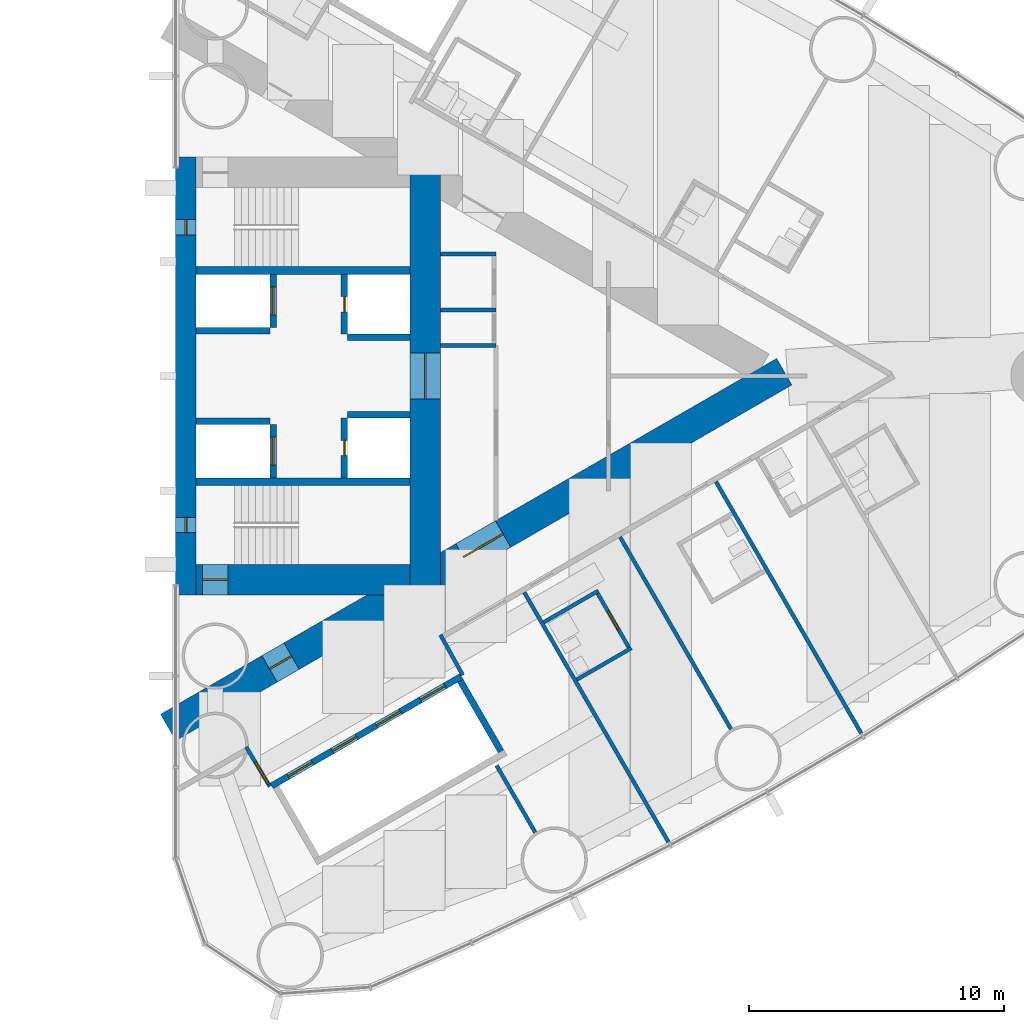
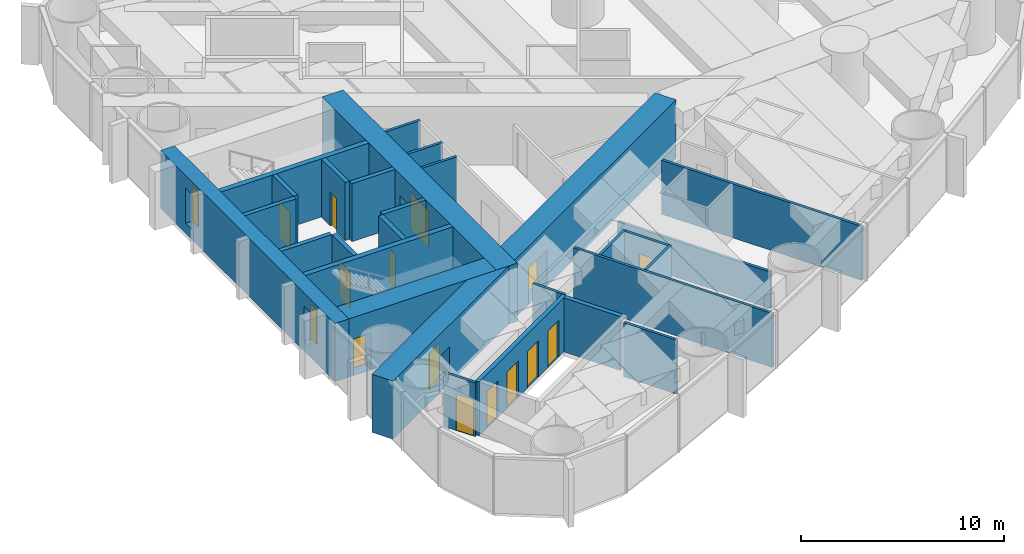
# One storey, part 14 of 19: 28 walls, 14 doors, 2 windows, 16 openings.
"""IFC4 building model written with IfcOpenShell, lengths in metres."""

from ifc_helpers import new_model, si_unit, direction, frame, frame_2d, origin, place, context, subcontext, project, spatial, rectangle, extrude, material, layer, layer_set, type_object, element, fill, save


model = new_model("IFC4")

# Units and contexts
model_context = context("Model", 3, precision=1e-05, world=origin(), true_north=direction((0.0, 1.0)))
body_context = subcontext(model_context, "Body", "Model", "MODEL_VIEW")
ifc_project = project(units=[si_unit("LENGTHUNIT", "METRE"), si_unit("AREAUNIT", "SQUARE_METRE"), si_unit("VOLUMEUNIT", "CUBIC_METRE"), si_unit("PLANEANGLEUNIT", "RADIAN"), si_unit("MASSUNIT", "GRAM", prefix="KILO")], contexts=[model_context])

# Site, building, storey
site_placement = place(None, origin())
site = spatial("IfcSite", under=ifc_project, at=site_placement, CompositionType="ELEMENT")
building_placement = place(site_placement, origin())
building = spatial("IfcBuilding", under=site, at=building_placement, Name="Lancet Gate Hotel", CompositionType="ELEMENT")
storey_placement = place(building_placement, frame((0.0, 0.0, 90.60009765625)))
storey = spatial("IfcBuildingStorey", under=building, at=storey_placement, Name="L23", CompositionType="ELEMENT", Elevation=90.60009765625)

# Wall
ifc_material_1 = material(Name="Moisture resistant board partition")
ifc_layer_1 = layer(ifc_material_1, 0.14990234375)
ifc_layer_set_1 = layer_set([ifc_layer_1], Name="Bathroom wall 150")
wall_type_1 = type_object("IfcWallType", Name="Bathroom wall 150", PredefinedType="PARTITIONING", material=ifc_layer_set_1)
wall_1_placement = place(storey_placement, frame((43.2548828125, -11.9208984375, 0.0), z_axis=(0.0, 0.0, 1.0), x_axis=(0.866006523861, 0.500032699561, 0.0)))
element("IfcWall", 1, at=wall_1_placement, inside=storey, type_object=wall_type_1, Name="T2 bathroom wall 150 L23", PredefinedType="PARTITIONING", context=body_context, shape_type="SweptSolid", body=[
    extrude(rectangle(XDim=2.474853515625, YDim=0.14990234375, at=frame_2d((1.2373046875, 0.0))), origin(), (0.0, 0.0, 1.0), 3.25),
])

# Wall, opening, door
wall_2_placement = place(storey_placement, frame((44.033203125, -8.46923828125, 0.0), z_axis=(0.0, 0.0, 1.0), x_axis=(0.500047596559, -0.865997922154, 0.0)))
wall_2 = element("IfcWall", 2, at=wall_2_placement, inside=storey, type_object=wall_type_1, Name="T2 bathroom wall 150 L23", PredefinedType="PARTITIONING", context=body_context, shape_type="SweptSolid", body=[
    extrude(rectangle(XDim=2.599853515625, YDim=0.14990234375, at=frame_2d((1.2998046875, 0.0))), origin(), (0.0, 0.0, 1.0), 3.25),
])
opening_1_placement = place(wall_2_placement, frame((0.89990234375, 0.0, 0.0)))
opening_1 = element("IfcOpeningElement", 3, at=opening_1_placement, cuts=wall_2, Name="Opening 2354-B", PredefinedType="OPENING", context=body_context, shape_type="SweptSolid", body=[
    extrude(rectangle(XDim=0.800048828125, YDim=2.199951171875, at=frame_2d((0.39990234375, 1.10009765625))), frame((0.0, 0.0849609375, 0.0), z_axis=(0.0, -1.0, 0.0), x_axis=(1.0, 0.0, 0.0)), (0.0, 0.0, 1.0), 0.169921875),
])
ifc_material_2 = material(Name="Timber door set", Category="wood")
door_type_1 = type_object("IfcDoorType", Name="Bathroom door 800", OperationType="SINGLE_SWING_RIGHT", PredefinedType="DOOR", material=ifc_material_2)
door_1_placement = place(opening_1_placement, origin())
door_1 = element("IfcDoor", 4, at=door_1_placement, inside=storey, type_object=door_type_1, Name="2354-B", OperationType="SINGLE_SWING_RIGHT", OverallHeight=2.199951171875, OverallWidth=0.800048828125, PredefinedType="DOOR", context=body_context, shape_type="SweptSolid", body=[
    extrude(rectangle(XDim=0.800048828125, YDim=2.199951171875, at=frame_2d((0.39990234375, 1.10009765625))), frame((0.0, 0.02490234375, 0.0), z_axis=(0.0, -1.0, 0.0), x_axis=(1.0, 0.0, 0.0)), (0.0, 0.0, 1.0), 0.050048828125),
])
fill(opening_1, door_1)

# Wall
wall_3_placement = place(storey_placement, frame((41.954833984375, -9.669189453125, 0.0), z_axis=(0.0, 0.0, 1.0), x_axis=(0.866006523861, 0.500032699561, 0.0)))
element("IfcWall", 5, at=wall_3_placement, inside=storey, type_object=wall_type_1, Name="T2 bathroom wall 150 L23", PredefinedType="PARTITIONING", context=body_context, shape_type="SweptSolid", body=[
    extrude(rectangle(XDim=2.474853515625, YDim=0.14990234375, at=frame_2d((1.2373046875, 0.0))), origin(), (0.0, 0.0, 1.0), 3.25),
])

# Wall, openings, doors
ifc_material_3 = material(Name="Concrete C70/85", Category="concrete")
ifc_layer_2 = layer(ifc_material_3, 1.199951171875)
ifc_layer_set_2 = layer_set([ifc_layer_2], Name="Buttress wall 1200")
wall_type_2 = type_object("IfcWallType", Name="Buttress wall 1200", PredefinedType="SHEAR", material=ifc_layer_set_2)
wall_4_placement = place(storey_placement, frame((27.199951171875, -13.800048828125, 0.0), z_axis=(0.0, 0.0, 1.0), x_axis=(0.866027159892, 0.499996958321, 0.0)))
wall_4 = element("IfcWall", 6, at=wall_4_placement, inside=storey, type_object=wall_type_2, Name="T2 buttress wall S L23", PredefinedType="SHEAR", context=body_context, shape_type="SweptSolid", body=[
    extrude(rectangle(XDim=27.946533203125, YDim=1.199951171875, at=frame_2d((13.97314453125, 0.0))), origin(), (0.0, 0.0, 1.0), 3.5),
])
opening_2_placement = place(wall_4_placement, frame((4.60009765625, 0.0, 0.0)))
opening_2 = element("IfcOpeningElement", 7, at=opening_2_placement, cuts=wall_4, Name="Opening T2-L23-LS", PredefinedType="OPENING", context=body_context, shape_type="SweptSolid", body=[
    extrude(rectangle(XDim=1.0, YDim=2.199951171875, at=frame_2d((0.5, 1.10009765625))), frame((0.0, 0.60986328125, 0.0), z_axis=(0.0, -1.0, 0.0), x_axis=(1.0, 0.0, 0.0)), (0.0, 0.0, 1.0), 1.219970703125),
])
opening_3_placement = place(wall_4_placement, frame((13.39453125, 0.0, 0.0)))
opening_3 = element("IfcOpeningElement", 8, at=opening_3_placement, cuts=wall_4, Name="Opening T2-L23-LHS", PredefinedType="OPENING", context=body_context, shape_type="SweptSolid", body=[
    extrude(rectangle(XDim=1.800048828125, YDim=2.199951171875, at=frame_2d((0.89990234375, 1.10009765625))), frame((0.0, 0.60986328125, 0.0), z_axis=(0.0, -1.0, 0.0), x_axis=(1.0, 0.0, 0.0)), (0.0, 0.0, 1.0), 1.219970703125),
])
ifc_material_4 = material(Name="Timber door set", Category="wood")
door_type_2 = type_object("IfcDoorType", Name="Lobby double door 1800", OperationType="DOUBLE_DOOR_SINGLE_SWING", PredefinedType="DOOR", material=ifc_material_4)
door_2_placement = place(opening_3_placement, origin())
door_2 = element("IfcDoor", 9, at=door_2_placement, inside=storey, type_object=door_type_2, Name="T2-L23-LHS", OperationType="DOUBLE_DOOR_SINGLE_SWING", OverallHeight=2.199951171875, OverallWidth=1.800048828125, PredefinedType="DOOR", context=body_context, shape_type="SweptSolid", body=[
    extrude(rectangle(XDim=1.800048828125, YDim=2.199951171875, at=frame_2d((0.89990234375, 1.10009765625))), frame((0.0, 0.02490234375, 0.0), z_axis=(0.0, -1.0, 0.0), x_axis=(1.0, 0.0, 0.0)), (0.0, 0.0, 1.0), 0.050048828125),
])
fill(opening_3, door_2)
ifc_material_5 = material(Name="Timber door set", Category="wood")
door_type_3 = type_object("IfcDoorType", Name="Stair lobby door 1000", OperationType="SINGLE_SWING_LEFT", PredefinedType="DOOR", material=ifc_material_5)
door_3_placement = place(opening_2_placement, origin())
door_3 = element("IfcDoor", 10, at=door_3_placement, inside=storey, type_object=door_type_3, Name="T2-L23-LS", OperationType="SINGLE_SWING_LEFT", OverallHeight=2.199951171875, OverallWidth=1.0, PredefinedType="DOOR", context=body_context, shape_type="SweptSolid", body=[
    extrude(rectangle(XDim=1.0, YDim=2.199951171875, at=frame_2d((0.5, 1.10009765625))), frame((0.0, 0.02490234375, 0.0), z_axis=(0.0, -1.0, 0.0), x_axis=(1.0, 0.0, 0.0)), (0.0, 0.0, 1.0), 0.050048828125),
])
fill(opening_2, door_3)

# Wall, opening, door
ifc_material_6 = material(Name="Concrete C70/85", Category="concrete")
ifc_layer_3 = layer(ifc_material_6, 1.199951171875)
ifc_layer_set_3 = layer_set([ifc_layer_3], Name="Core wall 1200")
wall_type_3 = type_object("IfcWallType", Name="Core wall 1200", PredefinedType="SHEAR", material=ifc_layer_set_3)
wall_5_placement = place(storey_placement, frame((37.300048828125, -8.60009765625, 0.0), z_axis=(0.0, 0.0, 1.0), x_axis=(0.0, 1.0, 0.0)))
wall_5 = element("IfcWall", 11, at=wall_5_placement, inside=storey, type_object=wall_type_3, Name="T2 core wall back L23", PredefinedType="SHEAR", context=body_context, shape_type="SweptSolid", body=[
    extrude(rectangle(XDim=17.2001953125, YDim=1.199951171875, at=frame_2d((8.60009765625, 0.0))), origin(), (0.0, 0.0, 1.0), 3.5),
])
opening_4_placement = place(wall_5_placement, frame((7.699951171875, 0.0, 0.0)))
opening_4 = element("IfcOpeningElement", 12, at=opening_4_placement, cuts=wall_5, Name="Opening T2-L23-LL", PredefinedType="OPENING", context=body_context, shape_type="SweptSolid", body=[
    extrude(rectangle(XDim=1.800048828125, YDim=2.199951171875, at=frame_2d((0.89990234375, 1.10009765625))), frame((0.0, 0.60986328125, 0.0), z_axis=(0.0, -1.0, 0.0), x_axis=(1.0, 0.0, 0.0)), (0.0, 0.0, 1.0), 1.219970703125),
])
door_4_placement = place(opening_4_placement, origin())
door_4 = element("IfcDoor", 13, at=door_4_placement, inside=storey, type_object=door_type_2, Name="T2-L23-LL", OperationType="DOUBLE_DOOR_SINGLE_SWING", OverallHeight=2.199951171875, OverallWidth=1.800048828125, PredefinedType="DOOR", context=body_context, shape_type="SweptSolid", body=[
    extrude(rectangle(XDim=1.800048828125, YDim=2.199951171875, at=frame_2d((0.89990234375, 1.10009765625))), frame((0.0, 0.02490234375, 0.0), z_axis=(0.0, -1.0, 0.0), x_axis=(1.0, 0.0, 0.0)), (0.0, 0.0, 1.0), 0.050048828125),
])
fill(opening_4, door_4)

wall_6_placement = place(storey_placement, frame((28.300048828125, -8.0, 0.0), z_axis=(0.0, 0.0, 1.0), x_axis=(1.0, 0.0, 0.0)))
wall_6 = element("IfcWall", 14, at=wall_6_placement, inside=storey, type_object=wall_type_3, Name="T2 core wall side-S L23", PredefinedType="SHEAR", context=body_context, shape_type="SweptSolid", body=[
    extrude(rectangle(XDim=8.39990234375, YDim=1.199951171875, at=frame_2d((4.199951171875, 0.0))), origin(), (0.0, 0.0, 1.0), 3.5),
])
opening_5_placement = place(wall_6_placement, frame((0.25, 0.0, 0.0)))
opening_5 = element("IfcOpeningElement", 15, at=opening_5_placement, cuts=wall_6, Name="Opening T2-L23-ST1", PredefinedType="OPENING", context=body_context, shape_type="SweptSolid", body=[
    extrude(rectangle(XDim=1.0, YDim=2.199951171875, at=frame_2d((0.5, 1.10009765625))), frame((0.0, 0.60986328125, 0.0), z_axis=(0.0, -1.0, 0.0), x_axis=(1.0, 0.0, 0.0)), (0.0, 0.0, 1.0), 1.219970703125),
])
ifc_material_7 = material(Name="Timber door set", Category="wood")
door_type_4 = type_object("IfcDoorType", Name="Stair door 1000", OperationType="SINGLE_SWING_RIGHT", PredefinedType="DOOR", material=ifc_material_7)
door_5_placement = place(opening_5_placement, origin())
door_5 = element("IfcDoor", 16, at=door_5_placement, inside=storey, type_object=door_type_4, Name="T2-L23-ST1", OperationType="SINGLE_SWING_RIGHT", OverallHeight=2.199951171875, OverallWidth=1.0, PredefinedType="DOOR", context=body_context, shape_type="SweptSolid", body=[
    extrude(rectangle(XDim=1.0, YDim=2.199951171875, at=frame_2d((0.5, 1.10009765625))), frame((0.0, 0.02490234375, 0.0), z_axis=(0.0, -1.0, 0.0), x_axis=(1.0, 0.0, 0.0)), (0.0, 0.0, 1.0), 0.050048828125),
])
fill(opening_5, door_5)

# Wall, openings, windows
ifc_material_8 = material(Name="Concrete C70/85", Category="concrete")
ifc_layer_4 = layer(ifc_material_8, 0.800048828125)
ifc_layer_set_4 = layer_set([ifc_layer_4], Name="Core wall 800")
wall_type_4 = type_object("IfcWallType", Name="Core wall 800", PredefinedType="SHEAR", material=ifc_layer_set_4)
wall_7_placement = place(storey_placement, frame((27.89990234375, -8.60009765625, 0.0), z_axis=(0.0, 0.0, 1.0), x_axis=(0.0, 1.0, 0.0)))
wall_7 = element("IfcWall", 17, at=wall_7_placement, inside=storey, type_object=wall_type_4, Name="T2 core wall front L23", PredefinedType="SHEAR", context=body_context, shape_type="SweptSolid", body=[
    extrude(rectangle(XDim=17.2001953125, YDim=0.800048828125, at=frame_2d((8.60009765625, 0.0))), origin(), (0.0, 0.0, 1.0), 3.5),
])
opening_6_placement = place(wall_7_placement, frame((2.449951171875, 0.0, 0.60009765625)))
opening_6 = element("IfcOpeningElement", 18, at=opening_6_placement, cuts=wall_7, Name="Opening LW1", PredefinedType="OPENING", context=body_context, shape_type="SweptSolid", body=[
    extrude(rectangle(XDim=0.60009765625, YDim=2.10009765625, at=frame_2d((0.300048828125, 1.050048828125))), frame((0.0, 0.409912109375, 0.0), z_axis=(0.0, -1.0, 0.0), x_axis=(1.0, 0.0, 0.0)), (0.0, 0.0, 1.0), 0.820068359375),
])
opening_7_placement = place(wall_7_placement, frame((14.14990234375, 0.0, 0.60009765625)))
opening_7 = element("IfcOpeningElement", 19, at=opening_7_placement, cuts=wall_7, Name="Opening LW1", PredefinedType="OPENING", context=body_context, shape_type="SweptSolid", body=[
    extrude(rectangle(XDim=0.60009765625, YDim=2.10009765625, at=frame_2d((0.300048828125, 1.050048828125))), frame((0.0, 0.409912109375, 0.0), z_axis=(0.0, -1.0, 0.0), x_axis=(1.0, 0.0, 0.0)), (0.0, 0.0, 1.0), 0.820068359375),
])
ifc_material_9 = material(Name="Fire-resisting glazed steel window", Category="steel")
window_type = type_object("IfcWindowType", Name="Lancet window 600x2100", PartitioningType="SINGLE_PANEL", PredefinedType="WINDOW", material=ifc_material_9)
window_1_placement = place(opening_6_placement, origin())
window_1 = element("IfcWindow", 20, at=window_1_placement, inside=storey, type_object=window_type, Name="T2 stair window S L23", OverallHeight=2.10009765625, OverallWidth=0.60009765625, PartitioningType="SINGLE_PANEL", PredefinedType="WINDOW", context=body_context, shape_type="SweptSolid", body=[
    extrude(rectangle(XDim=0.60009765625, YDim=2.10009765625, at=frame_2d((0.300048828125, 1.050048828125))), frame((0.0, 0.030029296875, 0.0), z_axis=(0.0, -1.0, 0.0), x_axis=(1.0, 0.0, 0.0)), (0.0, 0.0, 1.0), 0.06005859375),
])
fill(opening_6, window_1)
window_2_placement = place(opening_7_placement, origin())
window_2 = element("IfcWindow", 21, at=window_2_placement, inside=storey, type_object=window_type, Name="T2 stair window N L23", OverallHeight=2.10009765625, OverallWidth=0.60009765625, PartitioningType="SINGLE_PANEL", PredefinedType="WINDOW", context=body_context, shape_type="SweptSolid", body=[
    extrude(rectangle(XDim=0.60009765625, YDim=2.10009765625, at=frame_2d((0.300048828125, 1.050048828125))), frame((0.0, 0.030029296875, 0.0), z_axis=(0.0, -1.0, 0.0), x_axis=(1.0, 0.0, 0.0)), (0.0, 0.0, 1.0), 0.06005859375),
])
fill(opening_7, window_2)

# Wall, openings, doors
ifc_material_10 = material(Name="Gypsum board partition")
ifc_layer_5 = layer(ifc_material_10, 0.25)
ifc_layer_set_5 = layer_set([ifc_layer_5], Name="Lift shaft partition 250")
wall_type_5 = type_object("IfcWallType", Name="Lift shaft partition 250", PredefinedType="PARTITIONING", material=ifc_layer_set_5)
wall_8_placement = place(storey_placement, frame((31.2705078125, -16.09716796875, 0.0), z_axis=(0.0, 0.0, 1.0), x_axis=(0.86604045752, 0.499973925258, 0.0)))
wall_8 = element("IfcWall", 22, at=wall_8_placement, inside=storey, type_object=wall_type_5, Name="T2 lift shaft wall LR L23", PredefinedType="PARTITIONING", context=body_context, shape_type="SweptSolid", body=[
    extrude(rectangle(XDim=8.60009765625, YDim=0.25, at=frame_2d((4.300048828125, 0.0))), origin(), (0.0, 0.0, 1.0), 3.25),
])
opening_8_placement = place(wall_8_placement, frame((0.75, 0.0, 0.0)))
opening_8 = element("IfcOpeningElement", 23, at=opening_8_placement, cuts=wall_8, Name="Opening T2-LR1-L23", PredefinedType="OPENING", context=body_context, shape_type="SweptSolid", body=[
    extrude(rectangle(XDim=1.10009765625, YDim=2.199951171875, at=frame_2d((0.550048828125, 1.10009765625))), frame((0.0, 0.135009765625, 0.0), z_axis=(0.0, -1.0, 0.0), x_axis=(1.0, 0.0, 0.0)), (0.0, 0.0, 1.0), 0.27001953125),
])
opening_9_placement = place(wall_8_placement, frame((2.75, 0.0, 0.0)))
opening_9 = element("IfcOpeningElement", 24, at=opening_9_placement, cuts=wall_8, Name="Opening T2-LR2-L23", PredefinedType="OPENING", context=body_context, shape_type="SweptSolid", body=[
    extrude(rectangle(XDim=1.10009765625, YDim=2.199951171875, at=frame_2d((0.550048828125, 1.10009765625))), frame((0.0, 0.135009765625, 0.0), z_axis=(0.0, -1.0, 0.0), x_axis=(1.0, 0.0, 0.0)), (0.0, 0.0, 1.0), 0.27001953125),
])
opening_10_placement = place(wall_8_placement, frame((4.75, 0.0, 0.0)))
opening_10 = element("IfcOpeningElement", 25, at=opening_10_placement, cuts=wall_8, Name="Opening T2-LR3-L23", PredefinedType="OPENING", context=body_context, shape_type="SweptSolid", body=[
    extrude(rectangle(XDim=1.10009765625, YDim=2.199951171875, at=frame_2d((0.550048828125, 1.10009765625))), frame((0.0, 0.135009765625, 0.0), z_axis=(0.0, -1.0, 0.0), x_axis=(1.0, 0.0, 0.0)), (0.0, 0.0, 1.0), 0.27001953125),
])
opening_11_placement = place(wall_8_placement, frame((6.75, 0.0, 0.0)))
opening_11 = element("IfcOpeningElement", 26, at=opening_11_placement, cuts=wall_8, Name="Opening T2-LR4-L23", PredefinedType="OPENING", context=body_context, shape_type="SweptSolid", body=[
    extrude(rectangle(XDim=1.10009765625, YDim=2.199951171875, at=frame_2d((0.550048828125, 1.10009765625))), frame((0.0, 0.135009765625, 0.0), z_axis=(0.0, -1.0, 0.0), x_axis=(1.0, 0.0, 0.0)), (0.0, 0.0, 1.0), 0.27001953125),
])
ifc_material_11 = material(Name="Steel door set", Category="steel")
door_type_5 = type_object("IfcDoorType", Name="Lift landing door 1100", OperationType="DOUBLE_DOOR_SLIDING", PredefinedType="USERDEFINED", material=ifc_material_11)
door_6_placement = place(opening_8_placement, origin())
door_6 = element("IfcDoor", 27, at=door_6_placement, inside=storey, type_object=door_type_5, Name="T2-LR1-L23", ObjectType="LIFT LANDING DOOR", OperationType="DOUBLE_DOOR_SLIDING", OverallHeight=2.199951171875, OverallWidth=1.10009765625, PredefinedType="USERDEFINED", context=body_context, shape_type="SweptSolid", body=[
    extrude(rectangle(XDim=1.10009765625, YDim=2.199951171875, at=frame_2d((0.550048828125, 1.10009765625))), frame((0.0, 0.02490234375, 0.0), z_axis=(0.0, -1.0, 0.0), x_axis=(1.0, 0.0, 0.0)), (0.0, 0.0, 1.0), 0.050048828125),
])
fill(opening_8, door_6)
door_7_placement = place(opening_9_placement, origin())
door_7 = element("IfcDoor", 28, at=door_7_placement, inside=storey, type_object=door_type_5, Name="T2-LR2-L23", ObjectType="LIFT LANDING DOOR", OperationType="DOUBLE_DOOR_SLIDING", OverallHeight=2.199951171875, OverallWidth=1.10009765625, PredefinedType="USERDEFINED", context=body_context, shape_type="SweptSolid", body=[
    extrude(rectangle(XDim=1.10009765625, YDim=2.199951171875, at=frame_2d((0.550048828125, 1.10009765625))), frame((0.0, 0.02490234375, 0.0), z_axis=(0.0, -1.0, 0.0), x_axis=(1.0, 0.0, 0.0)), (0.0, 0.0, 1.0), 0.050048828125),
])
fill(opening_9, door_7)
door_8_placement = place(opening_10_placement, origin())
door_8 = element("IfcDoor", 29, at=door_8_placement, inside=storey, type_object=door_type_5, Name="T2-LR3-L23", ObjectType="LIFT LANDING DOOR", OperationType="DOUBLE_DOOR_SLIDING", OverallHeight=2.199951171875, OverallWidth=1.10009765625, PredefinedType="USERDEFINED", context=body_context, shape_type="SweptSolid", body=[
    extrude(rectangle(XDim=1.10009765625, YDim=2.199951171875, at=frame_2d((0.550048828125, 1.10009765625))), frame((0.0, 0.02490234375, 0.0), z_axis=(0.0, -1.0, 0.0), x_axis=(1.0, 0.0, 0.0)), (0.0, 0.0, 1.0), 0.050048828125),
])
fill(opening_10, door_8)
door_9_placement = place(opening_11_placement, origin())
door_9 = element("IfcDoor", 30, at=door_9_placement, inside=storey, type_object=door_type_5, Name="T2-LR4-L23", ObjectType="LIFT LANDING DOOR", OperationType="DOUBLE_DOOR_SLIDING", OverallHeight=2.199951171875, OverallWidth=1.10009765625, PredefinedType="USERDEFINED", context=body_context, shape_type="SweptSolid", body=[
    extrude(rectangle(XDim=1.10009765625, YDim=2.199951171875, at=frame_2d((0.550048828125, 1.10009765625))), frame((0.0, 0.02490234375, 0.0), z_axis=(0.0, -1.0, 0.0), x_axis=(1.0, 0.0, 0.0)), (0.0, 0.0, 1.0), 0.050048828125),
])
fill(opening_11, door_9)

# Wall
wall_9_placement = place(storey_placement, frame((38.672607421875, -11.968017578125, 0.0), z_axis=(0.0, 0.0, 1.0), x_axis=(0.499929347863, -0.866066190972, 0.0)))
element("IfcWall", 31, at=wall_9_placement, inside=storey, type_object=wall_type_5, Name="T2 lift shaft wall LR L23", PredefinedType="PARTITIONING", context=body_context, shape_type="SweptSolid", body=[
    extrude(rectangle(XDim=3.20068359375, YDim=0.25, at=frame_2d((1.600341796875, 0.0))), origin(), (0.0, 0.0, 1.0), 3.25),
])

# Wall, opening, door
ifc_material_12 = material(Name="Concrete C50/60", Category="concrete")
ifc_layer_6 = layer(ifc_material_12, 0.25)
ifc_layer_set_6 = layer_set([ifc_layer_6], Name="Lift shaft wall 250")
wall_type_6 = type_object("IfcWallType", Name="Lift shaft wall 250", PredefinedType="SHEAR", material=ifc_layer_set_6)
wall_10_placement = place(storey_placement, frame((31.324951171875, -4.0, 0.0), z_axis=(0.0, 0.0, 1.0), x_axis=(0.0, 1.0, 0.0)))
wall_10 = element("IfcWall", 32, at=wall_10_placement, inside=storey, type_object=wall_type_6, Name="T2 core wall row1-S L23", PredefinedType="SHEAR", context=body_context, shape_type="SweptSolid", body=[
    extrude(rectangle(XDim=2.10009765625, YDim=0.25, at=frame_2d((1.050048828125, 0.0))), origin(), (0.0, 0.0, 1.0), 3.5),
])
opening_12_placement = place(wall_10_placement, frame((0.5, 0.0, 0.0)))
opening_12 = element("IfcOpeningElement", 33, at=opening_12_placement, cuts=wall_10, Name="Opening T2-SL1-L23", PredefinedType="OPENING", context=body_context, shape_type="SweptSolid", body=[
    extrude(rectangle(XDim=1.10009765625, YDim=2.199951171875, at=frame_2d((0.550048828125, 1.10009765625))), frame((0.0, 0.135009765625, 0.0), z_axis=(0.0, -1.0, 0.0), x_axis=(1.0, 0.0, 0.0)), (0.0, 0.0, 1.0), 0.27001953125),
])
ifc_material_13 = material(Name="Timber door set", Category="wood")
door_type_6 = type_object("IfcDoorType", Name="Service lift landing door 1100", OperationType="SLIDING_TO_LEFT", PredefinedType="USERDEFINED", material=ifc_material_13)
door_10_placement = place(opening_12_placement, origin())
door_10 = element("IfcDoor", 34, at=door_10_placement, inside=storey, type_object=door_type_6, Name="T2-SL1-L23", ObjectType="LIFT LANDING DOOR", OperationType="SLIDING_TO_LEFT", OverallHeight=2.199951171875, OverallWidth=1.10009765625, PredefinedType="USERDEFINED", context=body_context, shape_type="SweptSolid", body=[
    extrude(rectangle(XDim=1.10009765625, YDim=2.199951171875, at=frame_2d((0.550048828125, 1.10009765625))), frame((0.0, 0.02490234375, 0.0), z_axis=(0.0, -1.0, 0.0), x_axis=(1.0, 0.0, 0.0)), (0.0, 0.0, 1.0), 0.050048828125),
])
fill(opening_12, door_10)

wall_11_placement = place(storey_placement, frame((34.125, -4.0, 0.0), z_axis=(0.0, 0.0, 1.0), x_axis=(0.0, 1.0, 0.0)))
wall_11 = element("IfcWall", 35, at=wall_11_placement, inside=storey, type_object=wall_type_6, Name="T2 core wall row2-S L23", PredefinedType="SHEAR", context=body_context, shape_type="SweptSolid", body=[
    extrude(rectangle(XDim=2.35009765625, YDim=0.25, at=frame_2d((1.175048828125, 0.0))), origin(), (0.0, 0.0, 1.0), 3.5),
])
opening_13_placement = place(wall_11_placement, frame((0.875, 0.0, 0.0)))
opening_13 = element("IfcOpeningElement", 36, at=opening_13_placement, cuts=wall_11, Name="Opening T2-OL3-L23-E", PredefinedType="OPENING", context=body_context, shape_type="SweptSolid", body=[
    extrude(rectangle(XDim=0.60009765625, YDim=2.0, at=frame_2d((0.300048828125, 1.0))), frame((0.0, 0.135009765625, 0.0), z_axis=(0.0, -1.0, 0.0), x_axis=(1.0, 0.0, 0.0)), (0.0, 0.0, 1.0), 0.27001953125),
])
ifc_material_14 = material(Name="Steel door set", Category="steel")
door_type_7 = type_object("IfcDoorType", Name="Lift shaft emergency door 600x2000", OperationType="SLIDING_TO_LEFT", PredefinedType="DOOR", material=ifc_material_14)
door_11_placement = place(opening_13_placement, origin())
door_11 = element("IfcDoor", 37, at=door_11_placement, inside=storey, type_object=door_type_7, Name="T2-OL3-L23-E", OperationType="SLIDING_TO_LEFT", OverallHeight=2.0, OverallWidth=0.60009765625, PredefinedType="DOOR", context=body_context, shape_type="SweptSolid", body=[
    extrude(rectangle(XDim=0.60009765625, YDim=2.0, at=frame_2d((0.300048828125, 1.0))), frame((0.0, 0.02490234375, 0.0), z_axis=(0.0, -1.0, 0.0), x_axis=(1.0, 0.0, 0.0)), (0.0, 0.0, 1.0), 0.050048828125),
])
fill(opening_13, door_11)

# Walls
wall_12_placement = place(storey_placement, frame((28.300048828125, -1.77490234375, 0.0), z_axis=(0.0, 0.0, 1.0), x_axis=(1.0, 0.0, 0.0)))
element("IfcWall", 38, at=wall_12_placement, inside=storey, type_object=wall_type_6, Name="T2 core wall pass1-S L23", PredefinedType="SHEAR", context=body_context, shape_type="SweptSolid", body=[
    extrude(rectangle(XDim=2.89990234375, YDim=0.25, at=frame_2d((1.449951171875, 0.0))), origin(), (0.0, 0.0, 1.0), 3.5),
])
wall_13_placement = place(storey_placement, frame((34.25, -1.52490234375, 0.0), z_axis=(0.0, 0.0, 1.0), x_axis=(1.0, 0.0, 0.0)))
element("IfcWall", 39, at=wall_13_placement, inside=storey, type_object=wall_type_6, Name="T2 core wall pass2-S L23", PredefinedType="SHEAR", context=body_context, shape_type="SweptSolid", body=[
    extrude(rectangle(XDim=2.449951171875, YDim=0.25, at=frame_2d((1.22509765625, 0.0))), origin(), (0.0, 0.0, 1.0), 3.5),
])

# Wall, opening, door
wall_14_placement = place(storey_placement, frame((31.324951171875, 1.89990234375, 0.0), z_axis=(0.0, 0.0, 1.0), x_axis=(0.0, 1.0, 0.0)))
wall_14 = element("IfcWall", 40, at=wall_14_placement, inside=storey, type_object=wall_type_6, Name="T2 core wall row1-N L23", PredefinedType="SHEAR", context=body_context, shape_type="SweptSolid", body=[
    extrude(rectangle(XDim=2.10009765625, YDim=0.25, at=frame_2d((1.050048828125, 0.0))), origin(), (0.0, 0.0, 1.0), 3.5),
])
opening_14_placement = place(wall_14_placement, frame((0.5, 0.0, 0.0)))
opening_14 = element("IfcOpeningElement", 41, at=opening_14_placement, cuts=wall_14, Name="Opening T2-FL2-L23", PredefinedType="OPENING", context=body_context, shape_type="SweptSolid", body=[
    extrude(rectangle(XDim=1.10009765625, YDim=2.199951171875, at=frame_2d((0.550048828125, 1.10009765625))), frame((0.0, 0.135009765625, 0.0), z_axis=(0.0, -1.0, 0.0), x_axis=(1.0, 0.0, 0.0)), (0.0, 0.0, 1.0), 0.27001953125),
])
ifc_material_15 = material(Name="Steel door set", Category="steel")
door_type_8 = type_object("IfcDoorType", Name="Firefighting lift landing door 1100", OperationType="SLIDING_TO_LEFT", PredefinedType="USERDEFINED", material=ifc_material_15)
door_12_placement = place(opening_14_placement, origin())
door_12 = element("IfcDoor", 42, at=door_12_placement, inside=storey, type_object=door_type_8, Name="T2-FL2-L23", ObjectType="LIFT LANDING DOOR", OperationType="SLIDING_TO_LEFT", OverallHeight=2.199951171875, OverallWidth=1.10009765625, PredefinedType="USERDEFINED", context=body_context, shape_type="SweptSolid", body=[
    extrude(rectangle(XDim=1.10009765625, YDim=2.199951171875, at=frame_2d((0.550048828125, 1.10009765625))), frame((0.0, 0.02490234375, 0.0), z_axis=(0.0, -1.0, 0.0), x_axis=(1.0, 0.0, 0.0)), (0.0, 0.0, 1.0), 0.050048828125),
])
fill(opening_14, door_12)

wall_15_placement = place(storey_placement, frame((34.125, 1.64990234375, 0.0), z_axis=(0.0, 0.0, 1.0), x_axis=(0.0, 1.0, 0.0)))
wall_15 = element("IfcWall", 43, at=wall_15_placement, inside=storey, type_object=wall_type_6, Name="T2 core wall row2-N L23", PredefinedType="SHEAR", context=body_context, shape_type="SweptSolid", body=[
    extrude(rectangle(XDim=2.35009765625, YDim=0.25, at=frame_2d((1.175048828125, 0.0))), origin(), (0.0, 0.0, 1.0), 3.5),
])
opening_15_placement = place(wall_15_placement, frame((0.875, 0.0, 0.0)))
opening_15 = element("IfcOpeningElement", 44, at=opening_15_placement, cuts=wall_15, Name="Opening T2-OL4-L23-E", PredefinedType="OPENING", context=body_context, shape_type="SweptSolid", body=[
    extrude(rectangle(XDim=0.60009765625, YDim=2.0, at=frame_2d((0.300048828125, 1.0))), frame((0.0, 0.135009765625, 0.0), z_axis=(0.0, -1.0, 0.0), x_axis=(1.0, 0.0, 0.0)), (0.0, 0.0, 1.0), 0.27001953125),
])
door_13_placement = place(opening_15_placement, origin())
door_13 = element("IfcDoor", 45, at=door_13_placement, inside=storey, type_object=door_type_7, Name="T2-OL4-L23-E", OperationType="SLIDING_TO_LEFT", OverallHeight=2.0, OverallWidth=0.60009765625, PredefinedType="DOOR", context=body_context, shape_type="SweptSolid", body=[
    extrude(rectangle(XDim=0.60009765625, YDim=2.0, at=frame_2d((0.300048828125, 1.0))), frame((0.0, 0.02490234375, 0.0), z_axis=(0.0, -1.0, 0.0), x_axis=(1.0, 0.0, 0.0)), (0.0, 0.0, 1.0), 0.050048828125),
])
fill(opening_15, door_13)

# Walls
wall_16_placement = place(storey_placement, frame((28.300048828125, 1.77490234375, 0.0), z_axis=(0.0, 0.0, 1.0), x_axis=(1.0, 0.0, 0.0)))
element("IfcWall", 46, at=wall_16_placement, inside=storey, type_object=wall_type_6, Name="T2 core wall pass1-N L23", PredefinedType="SHEAR", context=body_context, shape_type="SweptSolid", body=[
    extrude(rectangle(XDim=2.89990234375, YDim=0.25, at=frame_2d((1.449951171875, 0.0))), origin(), (0.0, 0.0, 1.0), 3.5),
])
wall_17_placement = place(storey_placement, frame((34.25, 1.52490234375, 0.0), z_axis=(0.0, 0.0, 1.0), x_axis=(1.0, 0.0, 0.0)))
element("IfcWall", 47, at=wall_17_placement, inside=storey, type_object=wall_type_6, Name="T2 core wall pass2-N L23", PredefinedType="SHEAR", context=body_context, shape_type="SweptSolid", body=[
    extrude(rectangle(XDim=2.449951171875, YDim=0.25, at=frame_2d((1.22509765625, 0.0))), origin(), (0.0, 0.0, 1.0), 3.5),
])
ifc_material_16 = material(Name="Gypsum board partition")
ifc_layer_7 = layer(ifc_material_16, 0.14990234375)
ifc_layer_set_7 = layer_set([ifc_layer_7], Name="Party wall 150")
wall_type_7 = type_object("IfcWallType", Name="Party wall 150", PredefinedType="PARTITIONING", material=ifc_layer_set_7)
wall_18_placement = place(storey_placement, frame((41.18994140625, -8.494140625, 0.0), z_axis=(0.0, 0.0, 1.0), x_axis=(0.49999258054, -0.866029687369, 0.0)))
element("IfcWall", 48, at=wall_18_placement, inside=storey, type_object=wall_type_7, Name="T2 party wall 150 L23", PredefinedType="PARTITIONING", context=body_context, shape_type="SweptSolid", body=[
    extrude(rectangle(XDim=11.318115234375, YDim=0.14990234375, at=frame_2d((5.6591796875, 0.0))), origin(), (0.0, 0.0, 1.0), 3.25),
])
wall_19_placement = place(storey_placement, frame((44.95361328125, -6.3212890625, 0.0), z_axis=(0.0, 0.0, 1.0), x_axis=(0.500018676722, -0.866014620505, 0.0)))
element("IfcWall", 49, at=wall_19_placement, inside=storey, type_object=wall_type_7, Name="T2 party wall 150 L23", PredefinedType="PARTITIONING", context=body_context, shape_type="SweptSolid", body=[
    extrude(rectangle(XDim=8.703857421875, YDim=0.14990234375, at=frame_2d((4.35205078125, 0.0))), origin(), (0.0, 0.0, 1.0), 2.199951171875),
])
wall_20_placement = place(storey_placement, frame((48.718505859375, -4.1474609375, 0.0), z_axis=(0.0, 0.0, 1.0), x_axis=(0.499990498062, -0.866030889661, 0.0)))
element("IfcWall", 50, at=wall_20_placement, inside=storey, type_object=wall_type_7, Name="T2 party wall 150 L23", PredefinedType="PARTITIONING", context=body_context, shape_type="SweptSolid", body=[
    extrude(rectangle(XDim=11.406005859375, YDim=0.14990234375, at=frame_2d((5.703125, 0.0))), origin(), (0.0, 0.0, 1.0), 3.25),
])
wall_21_placement = place(storey_placement, frame((40.10546875, -15.298583984375, 0.0), z_axis=(0.0, 0.0, 1.0), x_axis=(0.499978822259, -0.866037630414, 0.0)))
element("IfcWall", 51, at=wall_21_placement, inside=storey, type_object=wall_type_7, Name="T2 party wall 150 L23", PredefinedType="PARTITIONING", context=body_context, shape_type="SweptSolid", body=[
    extrude(rectangle(XDim=3.022705078125, YDim=0.14990234375, at=frame_2d((1.51123046875, 0.0))), origin(), (0.0, 0.0, 1.0), 3.25),
])

# Wall, opening, door
ifc_material_17 = material(Name="Gypsum board partition")
ifc_layer_8 = layer(ifc_material_17, 0.14990234375)
ifc_layer_set_8 = layer_set([ifc_layer_8], Name="Service room wall 150")
wall_type_8 = type_object("IfcWallType", Name="Service room wall 150", PredefinedType="PARTITIONING", material=ifc_layer_set_8)
wall_22_placement = place(storey_placement, frame((30.26708984375, -14.5693359375, 0.0), z_axis=(0.0, 0.0, 1.0), x_axis=(0.514336634837, -0.857588377991, 0.0)))
wall_22 = element("IfcWall", 52, at=wall_22_placement, inside=storey, type_object=wall_type_8, Name="T2 service room wall 150 L23", PredefinedType="PARTITIONING", context=body_context, shape_type="SweptSolid", body=[
    extrude(rectangle(XDim=1.80517578125, YDim=0.14990234375, at=frame_2d((0.902587890625, 0.0))), origin(), (0.0, 0.0, 1.0), 3.25),
])
opening_16_placement = place(wall_22_placement, frame((0.702880859375, 0.0, 0.0)))
opening_16 = element("IfcOpeningElement", 53, at=opening_16_placement, cuts=wall_22, Name="Opening T2-L23-LO1", PredefinedType="OPENING", context=body_context, shape_type="SweptSolid", body=[
    extrude(rectangle(XDim=1.0, YDim=2.199951171875, at=frame_2d((0.5, 1.10009765625))), frame((0.0, 0.0849609375, 0.0), z_axis=(0.0, -1.0, 0.0), x_axis=(1.0, 0.0, 0.0)), (0.0, 0.0, 1.0), 0.169921875),
])
ifc_material_18 = material(Name="Timber door set", Category="wood")
door_type_9 = type_object("IfcDoorType", Name="Service door 1000", OperationType="SINGLE_SWING_LEFT", PredefinedType="DOOR", material=ifc_material_18)
door_14_placement = place(opening_16_placement, origin())
door_14 = element("IfcDoor", 54, at=door_14_placement, inside=storey, type_object=door_type_9, Name="T2-L23-LO1", OperationType="SINGLE_SWING_LEFT", OverallHeight=2.199951171875, OverallWidth=1.0, PredefinedType="DOOR", context=body_context, shape_type="SweptSolid", body=[
    extrude(rectangle(XDim=1.0, YDim=2.199951171875, at=frame_2d((0.5, 1.10009765625))), frame((0.0, 0.02490234375, 0.0), z_axis=(0.0, -1.0, 0.0), x_axis=(1.0, 0.0, 0.0)), (0.0, 0.0, 1.0), 0.050048828125),
])
fill(opening_16, door_14)

# Walls
wall_23_placement = place(storey_placement, frame((38.7734375, -11.742431640625, 0.0), z_axis=(0.0, 0.0, 1.0), x_axis=(-0.485528096672, 0.8742210632, 0.0)))
element("IfcWall", 55, at=wall_23_placement, inside=storey, type_object=wall_type_8, Name="T2 service room wall 150 L23", PredefinedType="PARTITIONING", context=body_context, shape_type="SweptSolid", body=[
    extrude(rectangle(XDim=1.80517578125, YDim=0.14990234375, at=frame_2d((0.902587890625, 0.0))), origin(), (0.0, 0.0, 1.0), 3.25),
])
for number, where, z_axis, x_axis, name in (
    (56, (37.89990234375, 1.199951171875, 0.0), (0.0, 0.0, 1.0), (1.0, 0.0, 0.0), "T2 service room wall 150 L23"),
    (57, (37.89990234375, 2.60009765625, 0.0), (0.0, 0.0, 1.0), (1.0, 0.0, 0.0), "T2 service room wall 150 L23"),
    (58, (37.89990234375, 4.800048828125, 0.0), (0.0, 0.0, 1.0), (1.0, 0.0, 0.0), "T2 service room wall 150 L23"),
):
    element("IfcWall", number, at=place(storey_placement, frame(where, z_axis=z_axis, x_axis=x_axis)), inside=storey, type_object=wall_type_8, Name=name, PredefinedType="PARTITIONING", context=body_context, shape_type="SweptSolid", body=[
        extrude(rectangle(XDim=2.175048828125, YDim=0.14990234375, at=frame_2d((1.08740234375, 0.0))), origin(), (0.0, 0.0, 1.0), 3.25),
    ])
ifc_material_19 = material(Name="Concrete C50/60", Category="concrete")
ifc_layer_9 = layer(ifc_material_19, 0.300048828125)
ifc_layer_set_9 = layer_set([ifc_layer_9], Name="Stair enclosure wall 300")
wall_type_9 = type_object("IfcWallType", Name="Stair enclosure wall 300", PredefinedType="SHEAR", material=ifc_layer_set_9)
for number, where, z_axis, x_axis, name in (
    (59, (28.300048828125, -4.14990234375, 0.0), (0.0, 0.0, 1.0), (1.0, 0.0, 0.0), "T2 core wall stair-S L23"),
    (60, (28.300048828125, 4.14990234375, 0.0), (0.0, 0.0, 1.0), (1.0, 0.0, 0.0), "T2 core wall stair-N L23"),
):
    element("IfcWall", number, at=place(storey_placement, frame(where, z_axis=z_axis, x_axis=x_axis)), inside=storey, type_object=wall_type_9, Name=name, PredefinedType="SHEAR", context=body_context, shape_type="SweptSolid", body=[
        extrude(rectangle(XDim=8.39990234375, YDim=0.300048828125, at=frame_2d((4.199951171875, 0.0))), origin(), (0.0, 0.0, 1.0), 3.5),
    ])

save(model, "model.ifc")
